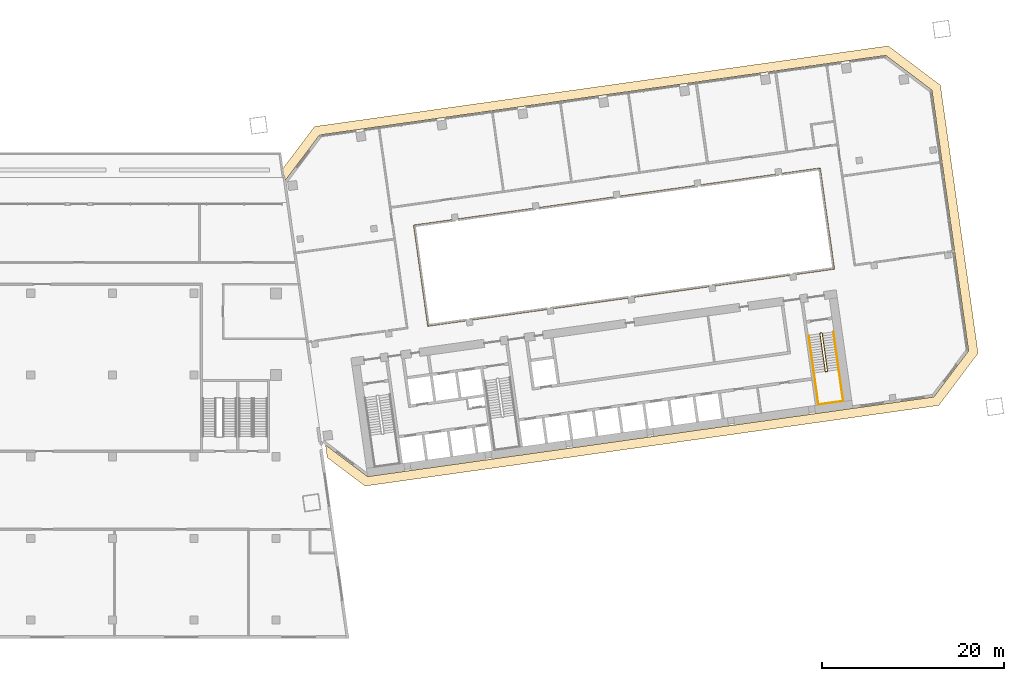
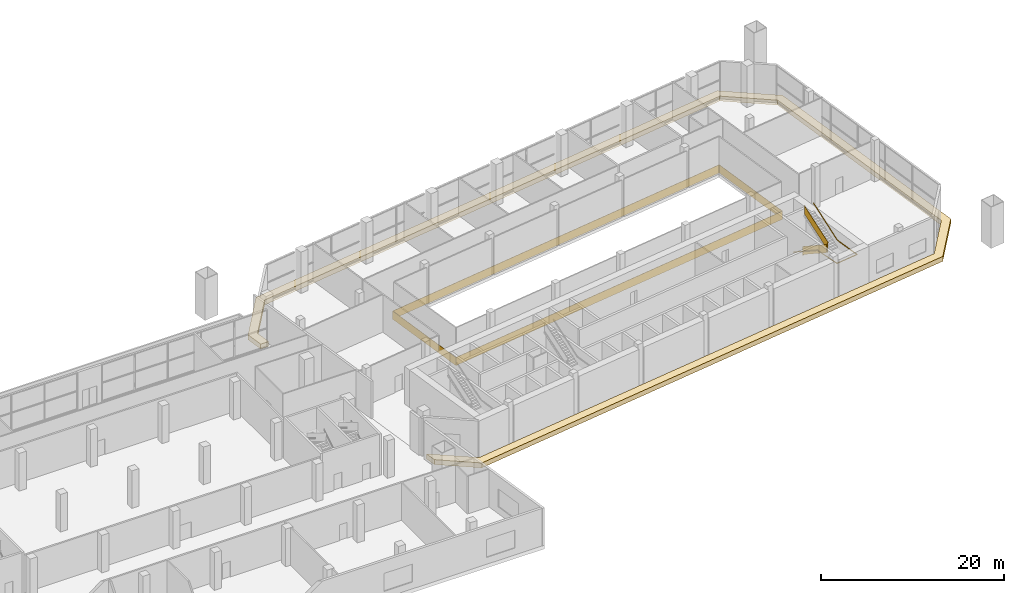
# One storey, part 23 of 23: 3 railings, 1 covering.
"""IFC4 building model written with IfcOpenShell, lengths in metres."""

from ifc_helpers import new_model, si_unit, direction, frame, origin, origin_2d, place, context, subcontext, project, spatial, polyline, rectangle, outline, extrude, material, layer, layer_set, type_object, element, save


model = new_model("IFC4")

# Units and contexts
model_context = context("Model", 3, precision=1e-05, world=origin(), true_north=direction((0.0, 1.0)))
body_context = subcontext(model_context, "Body", "Model", "MODEL_VIEW")
ifc_project = project(units=[si_unit("LENGTHUNIT", "METRE"), si_unit("AREAUNIT", "SQUARE_METRE"), si_unit("VOLUMEUNIT", "CUBIC_METRE"), si_unit("PLANEANGLEUNIT", "RADIAN"), si_unit("MASSUNIT", "GRAM", prefix="KILO")], contexts=[model_context])

# Site, building, storey
site_placement = place(None, origin())
site = spatial("IfcSite", under=ifc_project, at=site_placement, CompositionType="ELEMENT")
building_placement = place(site_placement, origin())
building = spatial("IfcBuilding", under=site, at=building_placement, Name="Mirante Cascada Hotel Towers", CompositionType="ELEMENT")
storey_placement = place(building_placement, frame((0.0, 0.0, 29.0)))
storey = spatial("IfcBuildingStorey", under=building, at=storey_placement, Name="L04", CompositionType="ELEMENT", Elevation=29.0)

# Railing
ifc_material_1 = material(Name="Painted steel", Category="steel")
railing_type_1 = type_object("IfcRailingType", Name="Atrium edge guard 1100 steel balustrade", PredefinedType="GUARDRAIL", material=ifc_material_1)
railing_1_placement = place(storey_placement, frame((43.7567, -3.601, 0.0)))
element("IfcRailing", 1, at=railing_1_placement, inside=storey, type_object=railing_type_1, Name="Atrium guard T2 L04", PredefinedType="GUARDRAIL", context=body_context, shape_type="SweptSolid", body=[
    extrude(rectangle(XDim=0.048, YDim=0.048, at=origin_2d()), frame((0.0, 0.0, 1.076), z_axis=(0.9902681, 0.1391726, 0.0), x_axis=(-0.1391726, 0.9902681, 0.0)), (0.0, 0.0, 1.0), 45.2),
    extrude(rectangle(XDim=0.02, YDim=1.052, at=origin_2d()), frame((0.0, 0.0, 0.526), z_axis=(0.9902681, 0.1391726, 0.0), x_axis=(-0.1391726, 0.9902681, 0.0)), (0.0, 0.0, 1.0), 45.2),
    extrude(rectangle(XDim=0.048, YDim=0.048, at=origin_2d()), frame((44.7601, 6.2906, 1.076), z_axis=(-0.1391697, 0.9902685, 0.0), x_axis=(-0.9902685, -0.1391697, 0.0)), (0.0, 0.0, 1.0), 11.2),
    extrude(rectangle(XDim=0.02, YDim=1.052, at=origin_2d()), frame((44.7601, 6.2906, 0.526), z_axis=(-0.1391697, 0.9902685, 0.0), x_axis=(-0.9902685, -0.1391697, 0.0)), (0.0, 0.0, 1.0), 11.2),
    extrude(rectangle(XDim=0.048, YDim=0.048, at=origin_2d()), frame((43.2014, 17.3816, 1.076), z_axis=(-0.9902681, -0.1391726, 0.0), x_axis=(0.1391726, -0.9902681, 0.0)), (0.0, 0.0, 1.0), 45.2),
    extrude(rectangle(XDim=0.02, YDim=1.052, at=origin_2d()), frame((43.2014, 17.3816, 0.526), z_axis=(-0.9902681, -0.1391726, 0.0), x_axis=(0.1391726, -0.9902681, 0.0)), (0.0, 0.0, 1.0), 45.2),
    extrude(rectangle(XDim=0.048, YDim=0.048, at=origin_2d()), frame((-1.5587, 11.091, 1.076), z_axis=(0.1391697, -0.9902685, 0.0), x_axis=(0.9902685, 0.1391697, 0.0)), (0.0, 0.0, 1.0), 11.2),
    extrude(rectangle(XDim=0.02, YDim=1.052, at=origin_2d()), frame((-1.5587, 11.091, 0.526), z_axis=(0.1391697, -0.9902685, 0.0), x_axis=(0.9902685, 0.1391697, 0.0)), (0.0, 0.0, 1.0), 11.2),
])

# Covering
ifc_material_2 = material(Name="Precast concrete C40/50 white", Category="concrete")
ifc_layer = layer(ifc_material_2, 0.6)
ifc_layer_set = layer_set([ifc_layer], Name="Precast concrete SUNSHADE band 1000x600")
covering_type = type_object("IfcCoveringType", Name="Precast concrete SUNSHADE band 1000x600", PredefinedType="CLADDING", material=ifc_layer_set)
covering_placement = place(storey_placement, frame((0.0, 0.0, -0.5)))
element("IfcCovering", 2, at=covering_placement, inside=storey, type_object=covering_type, Name="Precast concrete SUNSHADE band T2 L04", PredefinedType="CLADDING", context=body_context, shape_type="SweptSolid", body=[
    extrude(outline(polyline([(31.2626, 18.374), (94.4698, 27.2572), (100.2139, 22.9287), (104.3652, -6.6094), (100.0367, -12.3535), (36.8295, -21.2367), (32.6666, -18.0998), (32.4698, -16.6993), (37.1005, -20.1888), (99.4874, -11.4209), (103.3173, -6.3384), (99.2813, 22.3794), (94.1988, 26.2093), (31.8119, 17.4414), (27.982, 12.3589), (28.2573, 10.4), (27.2475, 10.4), (26.9341, 12.6299), (31.2626, 18.374)])), origin(), (0.0, 0.0, 1.0), 0.65),
])

# Railings
ifc_material_3 = material(Name="Painted steel", Category="steel")
railing_type_2 = type_object("IfcRailingType", Name="Stair guard 1100 steel balustrade", PredefinedType="GUARDRAIL", material=ifc_material_3)
railing_2_placement = place(storey_placement, frame((87.1361, -4.3713, 0.0)))
element("IfcRailing", 3, at=railing_2_placement, inside=storey, type_object=railing_type_2, Name="L04 ST2-C stair guard 1", PredefinedType="GUARDRAIL", context=body_context, shape_type="SweptSolid", body=[
    extrude(rectangle(XDim=0.048, YDim=0.048, at=origin_2d()), frame((0.0, 0.0, 1.076), z_axis=(-0.9902537, -0.1392753, 0.0), x_axis=(0.1392753, -0.9902537, 0.0)), (0.0, 0.0, 1.0), 0.1501),
    extrude(rectangle(XDim=0.02, YDim=1.052, at=origin_2d()), frame((0.0, 0.0, 0.526), z_axis=(-0.9902537, -0.1392753, 0.0), x_axis=(0.1392753, -0.9902537, 0.0)), (0.0, 0.0, 1.0), 0.1501),
    extrude(rectangle(XDim=0.048, YDim=0.048, at=origin_2d()), frame((-0.1486, -0.0209, 1.076), z_axis=(-0.601811, -0.7986386, 0.0), x_axis=(0.7986386, -0.601811, 0.0)), (0.0, 0.924985, 0.3800036), 0.1858),
    extrude(rectangle(XDim=0.02, YDim=1.052, at=origin_2d()), frame((-0.1486, -0.0209, 0.526), z_axis=(-0.601811, -0.7986386, 0.0), x_axis=(0.7986386, -0.601811, 0.0)), (0.0, 0.924985, 0.3800036), 0.1858),
    extrude(rectangle(XDim=0.048, YDim=0.048, at=origin_2d()), frame((-0.1911, -0.0773, 1.2479), z_axis=(0.1391676, -0.9902688, 0.0), x_axis=(0.9902688, 0.1391676, 0.0)), (0.0, 0.5231408, 0.8522463), 4.9281),
    extrude(rectangle(XDim=0.02, YDim=1.052, at=origin_2d()), frame((-0.1911, -0.0773, 0.6979), z_axis=(0.1391676, -0.9902688, 0.0), x_axis=(0.9902688, 0.1391676, 0.0)), (0.0, 0.5231408, 0.8522463), 4.9281),
    extrude(rectangle(XDim=0.048, YDim=0.048, at=origin_2d()), frame((0.3934, -4.2364, 3.826), z_axis=(0.9944441, -0.1052656, 0.0), x_axis=(0.1052656, 0.9944441, 0.0)), (0.0, 0.0, 1.0), 0.2061),
    extrude(rectangle(XDim=0.02, YDim=1.052, at=origin_2d()), frame((0.3934, -4.2364, 3.276), z_axis=(0.9944441, -0.1052656, 0.0), x_axis=(0.1052656, 0.9944441, 0.0)), (0.0, 0.0, 1.0), 0.2061),
    extrude(rectangle(XDim=0.048, YDim=0.048, at=origin_2d()), frame((0.5984, -4.2581, 3.826), z_axis=(-0.9902408, -0.1393672, 0.0), x_axis=(0.1393672, -0.9902408, 0.0)), (0.0, 0.0, 1.0), 0.15),
    extrude(rectangle(XDim=0.02, YDim=1.052, at=origin_2d()), frame((0.5984, -4.2581, 3.276), z_axis=(-0.9902408, -0.1393672, 0.0), x_axis=(0.1393672, -0.9902408, 0.0)), (0.0, 0.0, 1.0), 0.15),
    extrude(rectangle(XDim=0.048, YDim=0.048, at=origin_2d()), frame((0.4499, -4.279, 3.826), z_axis=(0.9270311, 0.3749843, 0.0), x_axis=(-0.3749843, 0.9270311, 0.0)), (0.0, 0.6404373, 0.7680104), 0.2684),
    extrude(rectangle(XDim=0.02, YDim=1.052, at=origin_2d()), frame((0.4499, -4.279, 3.276), z_axis=(0.9270311, 0.3749843, 0.0), x_axis=(-0.3749843, 0.9270311, 0.0)), (0.0, 0.6404373, 0.7680104), 0.2684),
    extrude(rectangle(XDim=0.048, YDim=0.048, at=origin_2d()), frame((0.641, -4.2017, 3.9979), z_axis=(-0.1391877, 0.990266, 0.0), x_axis=(-0.990266, -0.1391877, 0.0)), (0.0, 0.5231306, 0.8522525), 4.9282),
    extrude(rectangle(XDim=0.02, YDim=1.052, at=origin_2d()), frame((0.641, -4.2017, 3.4479), z_axis=(-0.1391877, 0.990266, 0.0), x_axis=(-0.990266, -0.1391877, 0.0)), (0.0, 0.5231306, 0.8522525), 4.9282),
])
ifc_material_4 = material(Name="Painted steel", Category="steel")
railing_type_3 = type_object("IfcRailingType", Name="Stair handrail 900 steel tube", PredefinedType="HANDRAIL", material=ifc_material_4)
railing_3_placement = place(storey_placement, frame((85.7071, -4.6226, 0.1719)))
element("IfcRailing", 4, at=railing_3_placement, inside=storey, type_object=railing_type_3, Name="L04 ST2-C stair handrail 1", PredefinedType="HANDRAIL", context=body_context, shape_type="SweptSolid", body=[
    extrude(rectangle(XDim=0.048, YDim=0.048, at=origin_2d()), frame((0.0, 0.0, 0.876), z_axis=(0.139191, -0.9902656, 0.0), x_axis=(0.9902656, 0.139191, 0.0)), (0.0, 0.5231396, 0.852247), 4.9281),
    extrude(rectangle(XDim=0.048, YDim=0.048, at=origin_2d()), frame((0.5845, -4.1581, 3.4541), z_axis=(0.139169, -0.9902686, 0.0), x_axis=(0.9902686, 0.139169, 0.0)), (0.0, 0.0490543, 0.9987961), 3.5053),
    extrude(rectangle(XDim=0.048, YDim=0.048, at=origin_2d()), frame((1.0717, -7.6251, 3.626), z_axis=(0.9902641, 0.1392013, 0.0), x_axis=(-0.1392013, 0.9902641, 0.0)), (0.0, 0.0, 1.0), 2.75),
    extrude(rectangle(XDim=0.048, YDim=0.048, at=origin_2d()), frame((3.7949, -7.2423, 3.626), z_axis=(-0.139173, 0.9902681, 0.0), x_axis=(-0.9902681, -0.139173, 0.0)), (0.0, 0.0, 1.0), 3.5),
    extrude(rectangle(XDim=0.048, YDim=0.048, at=origin_2d()), frame((3.3079, -3.7772, 3.6255), z_axis=(-0.1391676, 0.9902688, 0.0), x_axis=(-0.9902688, -0.1391676, 0.0)), (0.0, 0.5231408, 0.8522463), 4.9291),
])

save(model, "model.ifc")
